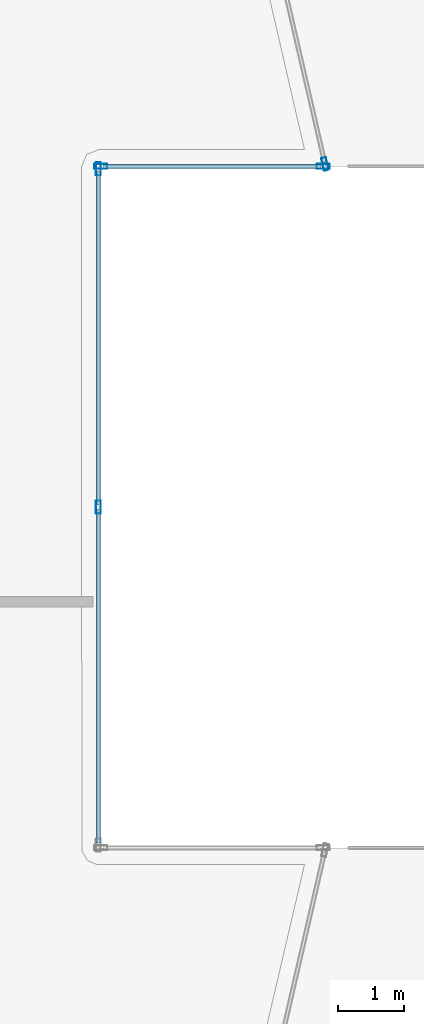
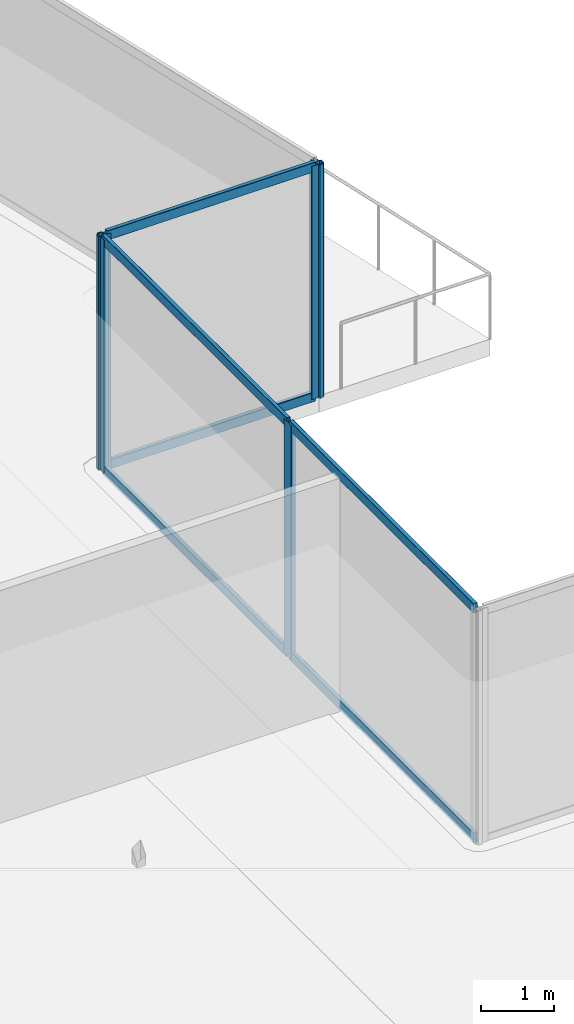
# One storey, part 25 of 44: 11 members, 3 elements without a shape of their own.
"""IFC4 building model written with IfcOpenShell, lengths in metres."""

from ifc_helpers import new_model, si_unit, direction, frame, origin, origin_2d, place, context, subcontext, project, spatial, hollow_rectangle, extrude, material, layer, layer_set, material_profile, profile_set, type_object, element, aggregate, save


model = new_model("IFC4")

# Units and contexts
model_context = context("Model", 3, precision=1e-05, world=origin(), true_north=direction((0.0, 1.0)))
body_context = subcontext(model_context, "Body", "Model", "MODEL_VIEW")
ifc_project = project(units=[si_unit("LENGTHUNIT", "METRE"), si_unit("AREAUNIT", "SQUARE_METRE"), si_unit("VOLUMEUNIT", "CUBIC_METRE"), si_unit("PLANEANGLEUNIT", "RADIAN"), si_unit("MASSUNIT", "GRAM", prefix="KILO")], contexts=[model_context])

# Site, building, storey
site_placement = place(None, origin())
site = spatial("IfcSite", under=ifc_project, at=site_placement, CompositionType="ELEMENT")
building_placement = place(site_placement, origin())
building = spatial("IfcBuilding", under=site, at=building_placement, Name="Qorvath Tower", CompositionType="ELEMENT")
storey_placement = place(building_placement, frame((0.0, 0.0, 78.60009765625)))
storey = spatial("IfcBuildingStorey", under=building, at=storey_placement, Name="L17", CompositionType="ELEMENT", Elevation=78.60009765625)

# Curtain wall, members
ifc_material_1 = material(Name="Anodised aluminium and triple low-E glass", Category="aluminium")
ifc_layer = layer(ifc_material_1, 0.179931640625)
ifc_layer_set = layer_set([ifc_layer], Name="CW-SYS-5")
curtain_wall_type = type_object("IfcCurtainWallType", Name="CW-SYS-5", PredefinedType="NOTDEFINED", material=ifc_layer_set)
curtain_wall_1_placement = place(storey_placement, origin())
curtain_wall_1 = element("IfcCurtainWall", 1, at=curtain_wall_1_placement, inside=storey, type_object=curtain_wall_type, Name="Curtain Wall CW-5 CW-T-L17-13.1", PredefinedType="NOTDEFINED")
ifc_material_2 = material(Name="Anodised aluminium 6063-T6", Category="aluminium")
ifc_material_profile_1 = material_profile(ifc_material_2, hollow_rectangle(XDim=0.074951171875, YDim=0.199951171875, WallThickness=0.00390625, InnerFilletRadius=0.00390625, OuterFilletRadius=0.008056640625, at=origin_2d()), Name="CWM 200x75")
ifc_profile_set_1 = profile_set([ifc_material_profile_1], Name="Anodised aluminium 6063-T6")
member_type_1 = type_object("IfcMemberType", Name="CWM-200", PredefinedType="MULLION", material=ifc_profile_set_1)
member_1_placement = place(storey_placement, frame((2.69580078125, 0.0, 0.0), z_axis=(0.0, 0.0, 1.0), x_axis=(-1.0, 0.0, 0.0)))
member_1 = element("IfcMember", 2, at=member_1_placement, type_object=member_type_1, Name="CW-5 mullion 2", PredefinedType="MULLION", context=body_context, shape_type="SweptSolid", body=[
    extrude(hollow_rectangle(XDim=0.074951171875, YDim=0.199951171875, WallThickness=0.00390625, InnerFilletRadius=0.00390625, OuterFilletRadius=0.008056640625, at=origin_2d()), origin(), (0.0, 0.0, 1.0), 3.919921875),
])
member_2_placement = place(storey_placement, frame((2.69580078125, 5.146484375, 0.0), z_axis=(0.0, 0.0, 1.0), x_axis=(-1.0, 0.0, 0.0)))
member_2 = element("IfcMember", 3, at=member_2_placement, type_object=member_type_1, Name="CW-5 mullion 3", PredefinedType="MULLION", context=body_context, shape_type="SweptSolid", body=[
    extrude(hollow_rectangle(XDim=0.074951171875, YDim=0.199951171875, WallThickness=0.00390625, InnerFilletRadius=0.00390625, OuterFilletRadius=0.008056640625, at=origin_2d()), origin(), (0.0, 0.0, 1.0), 3.919921875),
])

curtain_wall_2_placement = place(storey_placement, origin())
curtain_wall_2 = element("IfcCurtainWall", 4, at=curtain_wall_2_placement, inside=storey, type_object=curtain_wall_type, Name="Curtain Wall CW-5 CW-T-L17-14.1", PredefinedType="NOTDEFINED")
member_3_placement = place(storey_placement, frame((2.7333984375, 5.18408203125, 0.0), z_axis=(0.0, 0.0, 1.0), x_axis=(0.0, 1.0, 0.0)))
member_3 = element("IfcMember", 5, at=member_3_placement, type_object=member_type_1, Name="CW-5 mullion 1", PredefinedType="MULLION", context=body_context, shape_type="SweptSolid", body=[
    extrude(hollow_rectangle(XDim=0.074951171875, YDim=0.199951171875, WallThickness=0.00390625, InnerFilletRadius=0.00390625, OuterFilletRadius=0.008056640625, at=origin_2d()), origin(), (0.0, 0.0, 1.0), 3.919921875),
])
member_4_placement = place(storey_placement, frame((6.114501953125, 5.18408203125, 0.0), z_axis=(0.0, 0.0, 1.0), x_axis=(0.0, 1.0, 0.0)))
member_4 = element("IfcMember", 6, at=member_4_placement, type_object=member_type_1, Name="CW-5 mullion 2", PredefinedType="MULLION", context=body_context, shape_type="SweptSolid", body=[
    extrude(hollow_rectangle(XDim=0.074951171875, YDim=0.199951171875, WallThickness=0.00390625, InnerFilletRadius=0.00390625, OuterFilletRadius=0.008056640625, at=origin_2d()), origin(), (0.0, 0.0, 1.0), 3.919921875),
])

# Curtain wall, member
curtain_wall_3_placement = place(storey_placement, origin())
curtain_wall_3 = element("IfcCurtainWall", 7, at=curtain_wall_3_placement, inside=storey, type_object=curtain_wall_type, Name="Curtain Wall CW-5 CW-T-L17-15.1", PredefinedType="NOTDEFINED")
member_5_placement = place(storey_placement, frame((6.1435546875, 5.220703125, 0.0), z_axis=(0.0, 0.0, 1.0), x_axis=(-0.97438839911, -0.224871624887, 0.0)))
member_5 = element("IfcMember", 8, at=member_5_placement, type_object=member_type_1, Name="CW-5 mullion 1", PredefinedType="MULLION", context=body_context, shape_type="SweptSolid", body=[
    extrude(hollow_rectangle(XDim=0.074951171875, YDim=0.199951171875, WallThickness=0.00390625, InnerFilletRadius=0.00390625, OuterFilletRadius=0.008056640625, at=origin_2d()), origin(), (0.0, 0.0, 1.0), 3.919921875),
])
aggregate(curtain_wall_3, [member_5])

# Member
ifc_material_3 = material(Name="Anodised aluminium 6063-T6", Category="aluminium")
ifc_material_profile_2 = material_profile(ifc_material_3, hollow_rectangle(XDim=0.06494140625, YDim=0.159912109375, WallThickness=0.00341796875, InnerFilletRadius=0.00341796875, OuterFilletRadius=0.007080078125, at=origin_2d()), Name="CWT 160x65")
ifc_profile_set_2 = profile_set([ifc_material_profile_2], Name="Anodised aluminium 6063-T6")
member_type_2 = type_object("IfcMemberType", Name="CWT-160", PredefinedType="USERDEFINED", material=ifc_profile_set_2)
member_6_placement = place(storey_placement, frame((2.69580078125, -5.109130859375, 0.032470703125), z_axis=(0.0, 1.0, 0.0), x_axis=(-1.0, 0.0, 0.0)))
member_6 = element("IfcMember", 9, at=member_6_placement, type_object=member_type_2, Name="CW-5 transom 1.1", ObjectType="TRANSOM", PredefinedType="USERDEFINED", context=body_context, shape_type="SweptSolid", body=[
    extrude(hollow_rectangle(XDim=0.06494140625, YDim=0.159912109375, WallThickness=0.00341796875, InnerFilletRadius=0.00341796875, OuterFilletRadius=0.007080078125, at=origin_2d()), origin(), (0.0, 0.0, 1.0), 5.071533203125),
])

member_7_placement = place(storey_placement, frame((2.69580078125, -5.109130859375, 3.887451171875), z_axis=(0.0, 1.0, 0.0), x_axis=(-1.0, 0.0, 0.0)))
member_7 = element("IfcMember", 10, at=member_7_placement, type_object=member_type_2, Name="CW-5 transom 1.2", ObjectType="TRANSOM", PredefinedType="USERDEFINED", context=body_context, shape_type="SweptSolid", body=[
    extrude(hollow_rectangle(XDim=0.06494140625, YDim=0.159912109375, WallThickness=0.00341796875, InnerFilletRadius=0.00341796875, OuterFilletRadius=0.007080078125, at=origin_2d()), origin(), (0.0, 0.0, 1.0), 5.071533203125),
])

member_8_placement = place(storey_placement, frame((2.69580078125, 0.03759765625, 0.032470703125), z_axis=(0.0, 1.0, 0.0), x_axis=(-1.0, 0.0, 0.0)))
member_8 = element("IfcMember", 11, at=member_8_placement, type_object=member_type_2, Name="CW-5 transom 2.1", ObjectType="TRANSOM", PredefinedType="USERDEFINED", context=body_context, shape_type="SweptSolid", body=[
    extrude(hollow_rectangle(XDim=0.06494140625, YDim=0.159912109375, WallThickness=0.00341796875, InnerFilletRadius=0.00341796875, OuterFilletRadius=0.007080078125, at=origin_2d()), origin(), (0.0, 0.0, 1.0), 5.071533203125),
])

member_9_placement = place(storey_placement, frame((2.69580078125, 0.03759765625, 3.887451171875), z_axis=(0.0, 1.0, 0.0), x_axis=(-1.0, 0.0, 0.0)))
member_9 = element("IfcMember", 12, at=member_9_placement, type_object=member_type_2, Name="CW-5 transom 2.2", ObjectType="TRANSOM", PredefinedType="USERDEFINED", context=body_context, shape_type="SweptSolid", body=[
    extrude(hollow_rectangle(XDim=0.06494140625, YDim=0.159912109375, WallThickness=0.00341796875, InnerFilletRadius=0.00341796875, OuterFilletRadius=0.007080078125, at=origin_2d()), origin(), (0.0, 0.0, 1.0), 5.071533203125),
])

aggregate(curtain_wall_1, [member_1, member_2, member_6, member_7, member_8, member_9])

member_10_placement = place(storey_placement, frame((2.770751953125, 5.18408203125, 0.032470703125), z_axis=(1.0, 0.0, 0.0), x_axis=(0.0, 1.0, 0.0)))
member_10 = element("IfcMember", 13, at=member_10_placement, type_object=member_type_2, Name="CW-5 transom 1.1", ObjectType="TRANSOM", PredefinedType="USERDEFINED", context=body_context, shape_type="SweptSolid", body=[
    extrude(hollow_rectangle(XDim=0.06494140625, YDim=0.159912109375, WallThickness=0.00341796875, InnerFilletRadius=0.00341796875, OuterFilletRadius=0.007080078125, at=origin_2d()), origin(), (0.0, 0.0, 1.0), 3.30615234375),
])

member_11_placement = place(storey_placement, frame((2.770751953125, 5.18408203125, 3.887451171875), z_axis=(1.0, 0.0, 0.0), x_axis=(0.0, 1.0, 0.0)))
member_11 = element("IfcMember", 14, at=member_11_placement, type_object=member_type_2, Name="CW-5 transom 1.2", ObjectType="TRANSOM", PredefinedType="USERDEFINED", context=body_context, shape_type="SweptSolid", body=[
    extrude(hollow_rectangle(XDim=0.06494140625, YDim=0.159912109375, WallThickness=0.00341796875, InnerFilletRadius=0.00341796875, OuterFilletRadius=0.007080078125, at=origin_2d()), origin(), (0.0, 0.0, 1.0), 3.30615234375),
])

aggregate(curtain_wall_2, [member_3, member_4, member_10, member_11])

save(model, "model.ifc")
